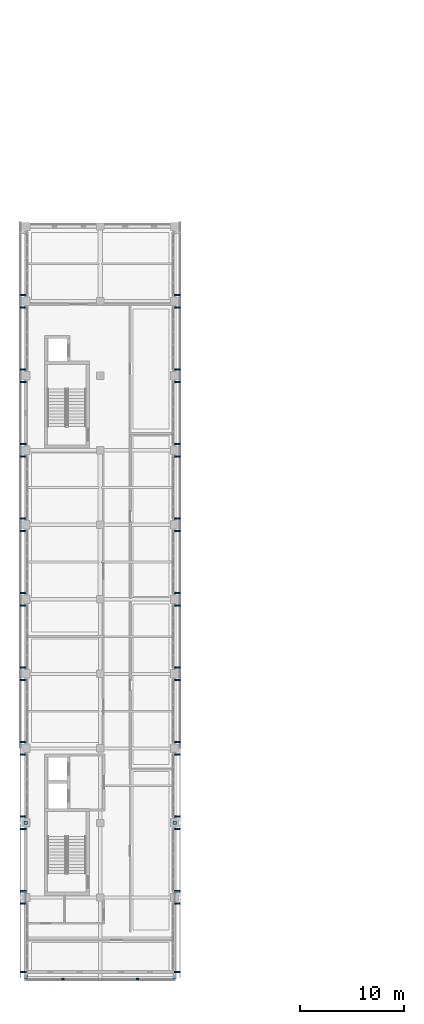
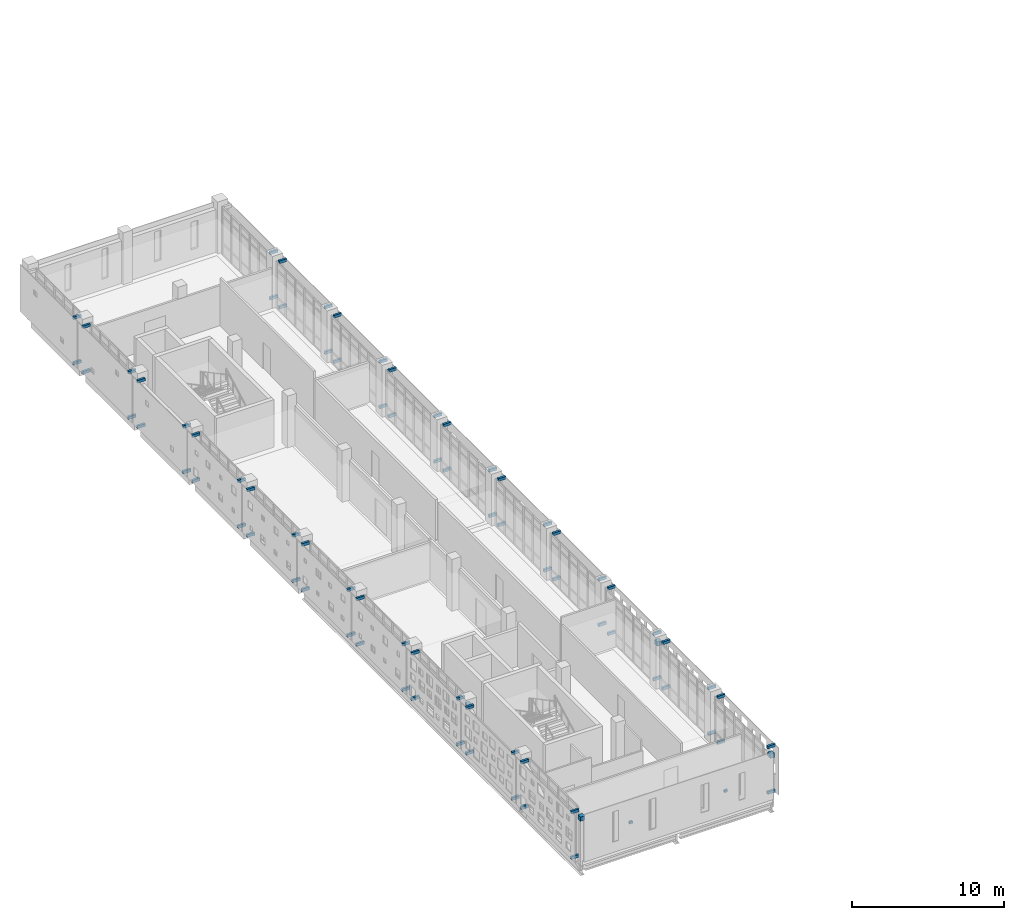
# One storey, part 25 of 33: 82 discrete accessories.
"""IFC4 building model written with IfcOpenShell, lengths in metres."""

from ifc_helpers import new_model, si_unit, direction, frame, origin, origin_2d, place, context, subcontext, project, spatial, rectangle, extrude, material, type_object, element, save


model = new_model("IFC4")

# Units and contexts
model_context = context("Model", 3, precision=1e-05, world=origin(), true_north=direction((0.0, 1.0)))
body_context = subcontext(model_context, "Body", "Model", "MODEL_VIEW")
ifc_project = project(units=[si_unit("LENGTHUNIT", "METRE"), si_unit("AREAUNIT", "SQUARE_METRE"), si_unit("VOLUMEUNIT", "CUBIC_METRE"), si_unit("PLANEANGLEUNIT", "RADIAN"), si_unit("MASSUNIT", "GRAM", prefix="KILO")], contexts=[model_context])

# Site, building, storey
site_placement = place(None, origin())
site = spatial("IfcSite", under=ifc_project, at=site_placement, CompositionType="ELEMENT")
building_placement = place(site_placement, origin())
building = spatial("IfcBuilding", under=site, at=building_placement, Name="Valkovuoma Quantum and Materials Research Institute", CompositionType="ELEMENT")
storey_placement = place(building_placement, frame((0.0, 0.0, 21.43994140625)))
storey = spatial("IfcBuildingStorey", under=building, at=storey_placement, Name="L05", CompositionType="ELEMENT", Elevation=21.43994140625)

# Discrete accessories
ifc_material_1 = material(Name="Steel S355J2", Category="steel")
discrete_accessory_type_1 = type_object("IfcDiscreteAccessoryType", Name="Brk-BRK-01", PredefinedType="BRACKET", material=ifc_material_1)
for number, where, z_axis, x_axis, name in (
    (1, (3.60009765625, 20.919921875, 1.81494140625), (0.0, 0.0, 1.0), (0.0, 1.0, 0.0), "L05 south end skin bracket 1"),
    (2, (10.800048828125, 20.919921875, 1.81494140625), (0.0, 0.0, 1.0), (0.0, 1.0, 0.0), "L05 south end skin bracket 2"),
):
    element("IfcDiscreteAccessory", number, at=place(storey_placement, frame(where, z_axis=z_axis, x_axis=x_axis)), inside=storey, type_object=discrete_accessory_type_1, Name=name, PredefinedType="BRACKET", context=body_context, shape_type="SweptSolid", body=[
        extrude(rectangle(XDim=0.159912109375, YDim=0.239990234375, at=origin_2d()), origin(), (0.0, 0.0, 1.0), 0.179931640625),
    ])
for number, where, z_axis, x_axis, name in (
    (3, (-0.25, 21.60009765625, -0.02978515625), (0.0, 0.0, 1.0), (1.0, 0.0, 0.0), "L05 screen bracket 00221"),
    (4, (-0.25, 28.199951171875, -0.02978515625), (0.0, 0.0, 1.0), (1.0, 0.0, 0.0), "L05 screen bracket 00222"),
    (5, (-0.25, 21.60009765625, 3.6201171875), (0.0, 0.0, 1.0), (1.0, 0.0, 0.0), "L05 screen bracket 00223"),
    (6, (-0.25, 28.199951171875, 3.6201171875), (0.0, 0.0, 1.0), (1.0, 0.0, 0.0), "L05 screen bracket 00224"),
    (7, (14.64990234375, 21.60009765625, -0.02978515625), (0.0, 0.0, 1.0), (1.0, 0.0, 0.0), "L05 screen bracket 00225"),
    (8, (14.64990234375, 28.199951171875, -0.02978515625), (0.0, 0.0, 1.0), (1.0, 0.0, 0.0), "L05 screen bracket 00226"),
    (9, (14.64990234375, 21.60009765625, 3.6201171875), (0.0, 0.0, 1.0), (1.0, 0.0, 0.0), "L05 screen bracket 00227"),
    (10, (14.64990234375, 28.199951171875, 3.6201171875), (0.0, 0.0, 1.0), (1.0, 0.0, 0.0), "L05 screen bracket 00228"),
    (11, (-0.25, 29.39990234375, -0.02978515625), (0.0, 0.0, 1.0), (1.0, 0.0, 0.0), "L05 screen bracket 00229"),
    (12, (-0.25, 35.39990234375, -0.02978515625), (0.0, 0.0, 1.0), (1.0, 0.0, 0.0), "L05 screen bracket 00230"),
    (13, (-0.25, 29.39990234375, 3.6201171875), (0.0, 0.0, 1.0), (1.0, 0.0, 0.0), "L05 screen bracket 00231"),
    (14, (-0.25, 35.39990234375, 3.6201171875), (0.0, 0.0, 1.0), (1.0, 0.0, 0.0), "L05 screen bracket 00232"),
    (15, (14.64990234375, 29.39990234375, -0.02978515625), (0.0, 0.0, 1.0), (1.0, 0.0, 0.0), "L05 screen bracket 00233"),
    (16, (14.64990234375, 35.39990234375, -0.02978515625), (0.0, 0.0, 1.0), (1.0, 0.0, 0.0), "L05 screen bracket 00234"),
    (17, (14.64990234375, 29.39990234375, 3.6201171875), (0.0, 0.0, 1.0), (1.0, 0.0, 0.0), "L05 screen bracket 00235"),
    (18, (14.64990234375, 35.39990234375, 3.6201171875), (0.0, 0.0, 1.0), (1.0, 0.0, 0.0), "L05 screen bracket 00236"),
    (19, (-0.25, 36.60009765625, -0.02978515625), (0.0, 0.0, 1.0), (1.0, 0.0, 0.0), "L05 screen bracket 00237"),
    (20, (-0.25, 42.60009765625, -0.02978515625), (0.0, 0.0, 1.0), (1.0, 0.0, 0.0), "L05 screen bracket 00238"),
    (21, (-0.25, 36.60009765625, 3.6201171875), (0.0, 0.0, 1.0), (1.0, 0.0, 0.0), "L05 screen bracket 00239"),
    (22, (-0.25, 42.60009765625, 3.6201171875), (0.0, 0.0, 1.0), (1.0, 0.0, 0.0), "L05 screen bracket 00240"),
    (23, (14.64990234375, 36.60009765625, -0.02978515625), (0.0, 0.0, 1.0), (1.0, 0.0, 0.0), "L05 screen bracket 00241"),
    (24, (14.64990234375, 42.60009765625, -0.02978515625), (0.0, 0.0, 1.0), (1.0, 0.0, 0.0), "L05 screen bracket 00242"),
    (25, (14.64990234375, 36.60009765625, 3.6201171875), (0.0, 0.0, 1.0), (1.0, 0.0, 0.0), "L05 screen bracket 00243"),
    (26, (14.64990234375, 42.60009765625, 3.6201171875), (0.0, 0.0, 1.0), (1.0, 0.0, 0.0), "L05 screen bracket 00244"),
    (27, (-0.25, 43.800048828125, -0.02978515625), (0.0, 0.0, 1.0), (1.0, 0.0, 0.0), "L05 screen bracket 00245"),
    (28, (-0.25, 49.800048828125, -0.02978515625), (0.0, 0.0, 1.0), (1.0, 0.0, 0.0), "L05 screen bracket 00246"),
    (29, (-0.25, 43.800048828125, 3.6201171875), (0.0, 0.0, 1.0), (1.0, 0.0, 0.0), "L05 screen bracket 00247"),
    (30, (-0.25, 49.800048828125, 3.6201171875), (0.0, 0.0, 1.0), (1.0, 0.0, 0.0), "L05 screen bracket 00248"),
    (31, (14.64990234375, 43.800048828125, -0.02978515625), (0.0, 0.0, 1.0), (1.0, 0.0, 0.0), "L05 screen bracket 00249"),
    (32, (14.64990234375, 49.800048828125, -0.02978515625), (0.0, 0.0, 1.0), (1.0, 0.0, 0.0), "L05 screen bracket 00250"),
    (33, (14.64990234375, 43.800048828125, 3.6201171875), (0.0, 0.0, 1.0), (1.0, 0.0, 0.0), "L05 screen bracket 00251"),
    (34, (14.64990234375, 49.800048828125, 3.6201171875), (0.0, 0.0, 1.0), (1.0, 0.0, 0.0), "L05 screen bracket 00252"),
    (35, (-0.25, 51.0, -0.02978515625), (0.0, 0.0, 1.0), (1.0, 0.0, 0.0), "L05 screen bracket 00253"),
    (36, (-0.25, 57.0, -0.02978515625), (0.0, 0.0, 1.0), (1.0, 0.0, 0.0), "L05 screen bracket 00254"),
    (37, (-0.25, 51.0, 3.6201171875), (0.0, 0.0, 1.0), (1.0, 0.0, 0.0), "L05 screen bracket 00255"),
    (38, (-0.25, 57.0, 3.6201171875), (0.0, 0.0, 1.0), (1.0, 0.0, 0.0), "L05 screen bracket 00256"),
    (39, (14.64990234375, 51.0, -0.02978515625), (0.0, 0.0, 1.0), (1.0, 0.0, 0.0), "L05 screen bracket 00257"),
    (40, (14.64990234375, 57.0, -0.02978515625), (0.0, 0.0, 1.0), (1.0, 0.0, 0.0), "L05 screen bracket 00258"),
    (41, (14.64990234375, 51.0, 3.6201171875), (0.0, 0.0, 1.0), (1.0, 0.0, 0.0), "L05 screen bracket 00259"),
    (42, (14.64990234375, 57.0, 3.6201171875), (0.0, 0.0, 1.0), (1.0, 0.0, 0.0), "L05 screen bracket 00260"),
    (43, (-0.25, 58.199951171875, -0.02978515625), (0.0, 0.0, 1.0), (1.0, 0.0, 0.0), "L05 screen bracket 00261"),
    (44, (-0.25, 64.199951171875, -0.02978515625), (0.0, 0.0, 1.0), (1.0, 0.0, 0.0), "L05 screen bracket 00262"),
    (45, (-0.25, 58.199951171875, 3.6201171875), (0.0, 0.0, 1.0), (1.0, 0.0, 0.0), "L05 screen bracket 00263"),
    (46, (-0.25, 64.199951171875, 3.6201171875), (0.0, 0.0, 1.0), (1.0, 0.0, 0.0), "L05 screen bracket 00264"),
    (47, (14.64990234375, 58.199951171875, -0.02978515625), (0.0, 0.0, 1.0), (1.0, 0.0, 0.0), "L05 screen bracket 00265"),
    (48, (14.64990234375, 64.199951171875, -0.02978515625), (0.0, 0.0, 1.0), (1.0, 0.0, 0.0), "L05 screen bracket 00266"),
    (49, (14.64990234375, 58.199951171875, 3.6201171875), (0.0, 0.0, 1.0), (1.0, 0.0, 0.0), "L05 screen bracket 00267"),
    (50, (14.64990234375, 64.199951171875, 3.6201171875), (0.0, 0.0, 1.0), (1.0, 0.0, 0.0), "L05 screen bracket 00268"),
    (51, (-0.25, 65.39990234375, -0.02978515625), (0.0, 0.0, 1.0), (1.0, 0.0, 0.0), "L05 screen bracket 00269"),
    (52, (-0.25, 71.39990234375, -0.02978515625), (0.0, 0.0, 1.0), (1.0, 0.0, 0.0), "L05 screen bracket 00270"),
    (53, (-0.25, 65.39990234375, 3.6201171875), (0.0, 0.0, 1.0), (1.0, 0.0, 0.0), "L05 screen bracket 00271"),
    (54, (-0.25, 71.39990234375, 3.6201171875), (0.0, 0.0, 1.0), (1.0, 0.0, 0.0), "L05 screen bracket 00272"),
    (55, (14.64990234375, 65.39990234375, -0.02978515625), (0.0, 0.0, 1.0), (1.0, 0.0, 0.0), "L05 screen bracket 00273"),
    (56, (14.64990234375, 71.39990234375, -0.02978515625), (0.0, 0.0, 1.0), (1.0, 0.0, 0.0), "L05 screen bracket 00274"),
    (57, (14.64990234375, 65.39990234375, 3.6201171875), (0.0, 0.0, 1.0), (1.0, 0.0, 0.0), "L05 screen bracket 00275"),
    (58, (14.64990234375, 71.39990234375, 3.6201171875), (0.0, 0.0, 1.0), (1.0, 0.0, 0.0), "L05 screen bracket 00276"),
    (59, (-0.25, 72.60009765625, -0.02978515625), (0.0, 0.0, 1.0), (1.0, 0.0, 0.0), "L05 screen bracket 00277"),
    (60, (-0.25, 78.60009765625, -0.02978515625), (0.0, 0.0, 1.0), (1.0, 0.0, 0.0), "L05 screen bracket 00278"),
    (61, (-0.25, 72.60009765625, 3.6201171875), (0.0, 0.0, 1.0), (1.0, 0.0, 0.0), "L05 screen bracket 00279"),
    (62, (-0.25, 78.60009765625, 3.6201171875), (0.0, 0.0, 1.0), (1.0, 0.0, 0.0), "L05 screen bracket 00280"),
    (63, (14.64990234375, 72.60009765625, -0.02978515625), (0.0, 0.0, 1.0), (1.0, 0.0, 0.0), "L05 screen bracket 00281"),
    (64, (14.64990234375, 78.60009765625, -0.02978515625), (0.0, 0.0, 1.0), (1.0, 0.0, 0.0), "L05 screen bracket 00282"),
    (65, (14.64990234375, 72.60009765625, 3.6201171875), (0.0, 0.0, 1.0), (1.0, 0.0, 0.0), "L05 screen bracket 00283"),
    (66, (14.64990234375, 78.60009765625, 3.6201171875), (0.0, 0.0, 1.0), (1.0, 0.0, 0.0), "L05 screen bracket 00284"),
    (67, (-0.25, 79.800048828125, -0.02978515625), (0.0, 0.0, 1.0), (1.0, 0.0, 0.0), "L05 screen bracket 00285"),
    (68, (-0.25, 85.800048828125, -0.02978515625), (0.0, 0.0, 1.0), (1.0, 0.0, 0.0), "L05 screen bracket 00286"),
    (69, (-0.25, 79.800048828125, 3.6201171875), (0.0, 0.0, 1.0), (1.0, 0.0, 0.0), "L05 screen bracket 00287"),
    (70, (-0.25, 85.800048828125, 3.6201171875), (0.0, 0.0, 1.0), (1.0, 0.0, 0.0), "L05 screen bracket 00288"),
    (71, (14.64990234375, 79.800048828125, -0.02978515625), (0.0, 0.0, 1.0), (1.0, 0.0, 0.0), "L05 screen bracket 00289"),
    (72, (14.64990234375, 85.800048828125, -0.02978515625), (0.0, 0.0, 1.0), (1.0, 0.0, 0.0), "L05 screen bracket 00290"),
    (73, (14.64990234375, 79.800048828125, 3.6201171875), (0.0, 0.0, 1.0), (1.0, 0.0, 0.0), "L05 screen bracket 00291"),
    (74, (14.64990234375, 85.800048828125, 3.6201171875), (0.0, 0.0, 1.0), (1.0, 0.0, 0.0), "L05 screen bracket 00292"),
    (75, (-0.25, 87.0, -0.02978515625), (0.0, 0.0, 1.0), (1.0, 0.0, 0.0), "L05 screen bracket 00293"),
    (76, (-0.25, 87.0, 3.6201171875), (0.0, 0.0, 1.0), (1.0, 0.0, 0.0), "L05 screen bracket 00295"),
    (77, (14.64990234375, 87.0, -0.02978515625), (0.0, 0.0, 1.0), (1.0, 0.0, 0.0), "L05 screen bracket 00297"),
    (78, (14.64990234375, 87.0, 3.6201171875), (0.0, 0.0, 1.0), (1.0, 0.0, 0.0), "L05 screen bracket 00299"),
):
    element("IfcDiscreteAccessory", number, at=place(storey_placement, frame(where, z_axis=z_axis, x_axis=x_axis)), inside=storey, type_object=discrete_accessory_type_1, Name=name, PredefinedType="BRACKET", context=body_context, shape_type="SweptSolid", body=[
        extrude(rectangle(XDim=0.580078125, YDim=0.159912109375, at=origin_2d()), origin(), (0.0, 0.0, 1.0), 0.219970703125),
    ])
ifc_material_2 = material(Name="Steel S355J2", Category="steel")
discrete_accessory_type_2 = type_object("IfcDiscreteAccessoryType", Name="Conn-END-01", PredefinedType="BRACKET", material=ifc_material_2)
for number, where, z_axis, x_axis, name in (
    (79, (0.0, 21.14990234375, 3.240234375), (0.0, 0.0, 1.0), (1.0, 0.0, 0.0), "L05 brace end connection assembly 0023"),
    (80, (0.0, 36.0, 3.240234375), (0.0, 0.0, 1.0), (1.0, 0.0, 0.0), "L05 brace end connection assembly 0024"),
    (81, (14.39990234375, 21.14990234375, 3.240234375), (0.0, 0.0, 1.0), (1.0, 0.0, 0.0), "L05 brace end connection assembly 0025"),
    (82, (14.39990234375, 36.0, 3.240234375), (0.0, 0.0, 1.0), (1.0, 0.0, 0.0), "L05 brace end connection assembly 0026"),
):
    element("IfcDiscreteAccessory", number, at=place(storey_placement, frame(where, z_axis=z_axis, x_axis=x_axis)), inside=storey, type_object=discrete_accessory_type_2, Name=name, PredefinedType="BRACKET", context=body_context, shape_type="SweptSolid", body=[
        extrude(rectangle(XDim=0.340087890625, YDim=0.340087890625, at=origin_2d()), origin(), (0.0, 0.0, 1.0), 0.340087890625),
    ])

save(model, "model.ifc")
